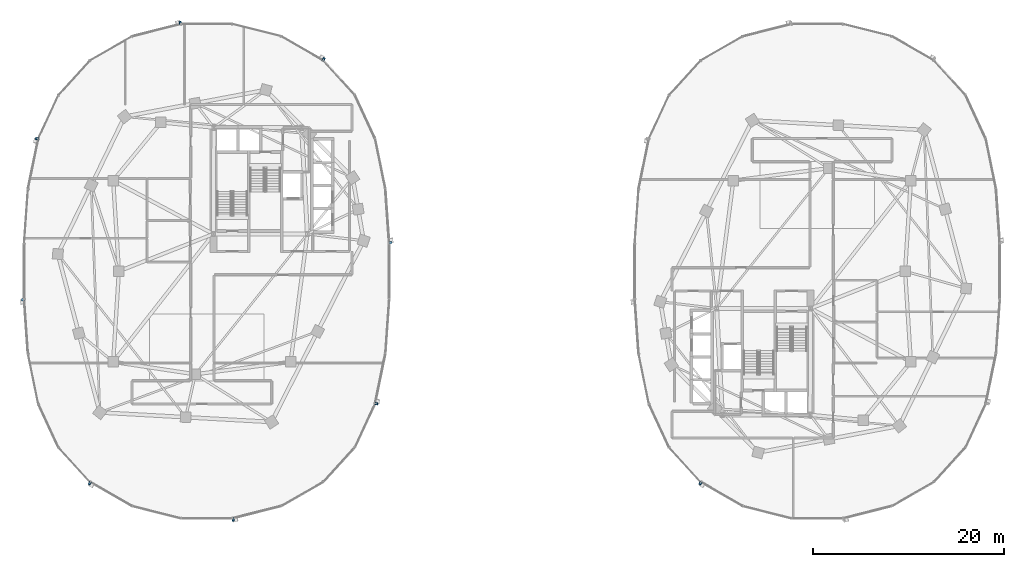
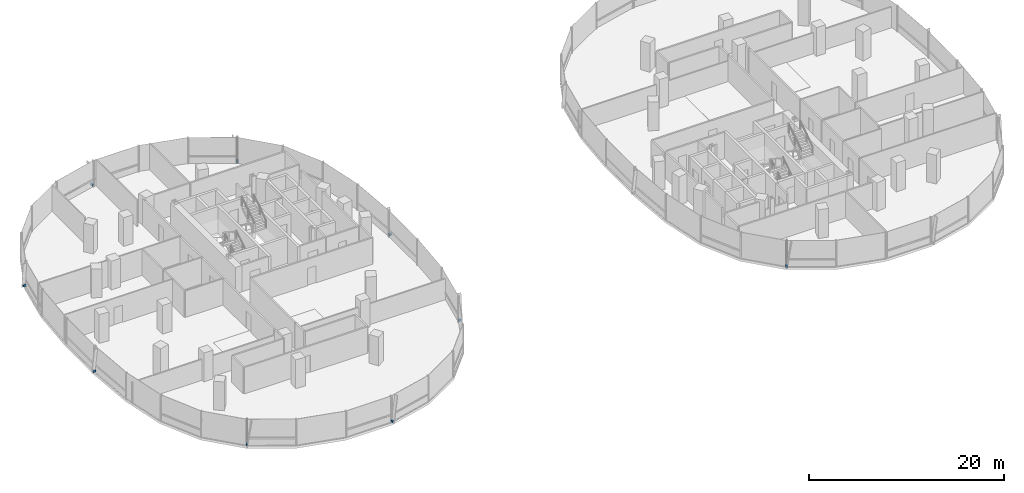
# One storey, part 15 of 21: 9 discrete accessories.
"""IFC4 building model written with IfcOpenShell, lengths in metres."""

from ifc_helpers import new_model, si_unit, direction, frame, origin, origin_2d, place, context, subcontext, project, spatial, rectangle, extrude, material, type_object, element, save


model = new_model("IFC4")

# Units and contexts
model_context = context("Model", 3, precision=1e-05, world=origin(), true_north=direction((0.0, 1.0)))
body_context = subcontext(model_context, "Body", "Model", "MODEL_VIEW")
ifc_project = project(units=[si_unit("LENGTHUNIT", "METRE"), si_unit("AREAUNIT", "SQUARE_METRE"), si_unit("VOLUMEUNIT", "CUBIC_METRE"), si_unit("PLANEANGLEUNIT", "RADIAN"), si_unit("MASSUNIT", "GRAM", prefix="KILO"), si_unit("THERMODYNAMICTEMPERATUREUNIT", "KELVIN"), si_unit("POWERUNIT", "WATT")], contexts=[model_context])

# Site, building, storey
site_placement = place(None, origin())
site = spatial("IfcSite", under=ifc_project, at=site_placement, CompositionType="ELEMENT")
building_placement = place(site_placement, origin())
building = spatial("IfcBuilding", under=site, at=building_placement, Name="Cundina Bronze Exchange", CompositionType="ELEMENT")
storey_placement = place(building_placement, frame((0.0, 0.0, 92.60009765625)))
storey = spatial("IfcBuildingStorey", under=building, at=storey_placement, Name="L23", CompositionType="ELEMENT", Elevation=92.60009765625)

# Discrete accessories
ifc_material = material(Name="Anodised Bronze Aluminium 6063-T6", Category="aluminium")
discrete_accessory_type = type_object("IfcDiscreteAccessoryType", Name="ACC-BRK-FIN", PredefinedType="BRACKET", material=ifc_material)
for number, where, z_axis, x_axis, name in (
    (1, (-12.735595703125, 2.986083984375, 0.10009765625), (0.0, 0.0, 1.0), (-0.070278787473, 0.997527389113, 0.0), "L23 Fin Support Bracket 1"),
    (2, (-19.740478515625, 22.21875, 0.10009765625), (0.0, 0.0, 1.0), (-0.867105478933, 0.498124571171, 0.0), "L23 Fin Support Bracket 5"),
    (3, (-34.76025390625, 26.03173828125, 0.10009765625), (0.0, 0.0, 1.0), (-0.969488149345, -0.245138182011, 0.0), "L23 Fin Support Bracket 1"),
    (4, (-49.788330078125, 13.8896484375, 0.10009765625), (0.0, 0.0, 1.0), (-0.201419845156, -0.979505000486, 0.0), "L23 Fin Support Bracket 5"),
    (5, (-51.264404296875, -2.986083984375, 0.10009765625), (0.0, 0.0, 1.0), (0.070278787473, -0.997527389113, 0.0), "L23 Fin Support Bracket 1"),
    (6, (-44.259521484375, -22.21875, 0.10009765625), (0.0, 0.0, 1.0), (0.867105478933, -0.498124571171, 0.0), "L23 Fin Support Bracket 5"),
    (7, (-29.23974609375, -26.03173828125, 0.10009765625), (0.0, 0.0, 1.0), (0.969488149345, 0.245138182011, 0.0), "L23 Fin Support Bracket 1"),
    (8, (-14.211669921875, -13.8896484375, 0.10009765625), (0.0, 0.0, 1.0), (0.201419845156, 0.979505000486, 0.0), "L23 Fin Support Bracket 5"),
    (9, (19.740478515625, -22.21875, 0.10009765625), (0.0, 0.0, 1.0), (0.867105478933, -0.498124571171, 0.0), "L23 Fin Support Bracket 5"),
):
    element("IfcDiscreteAccessory", number, at=place(storey_placement, frame(where, z_axis=z_axis, x_axis=x_axis)), inside=storey, type_object=discrete_accessory_type, Name=name, PredefinedType="BRACKET", context=body_context, shape_type="SweptSolid", body=[
        extrude(rectangle(XDim=0.219970703125, YDim=0.320068359375, at=origin_2d()), origin(), (0.0, 0.0, 1.0), 0.239990234375),
    ])

save(model, "model.ifc")
